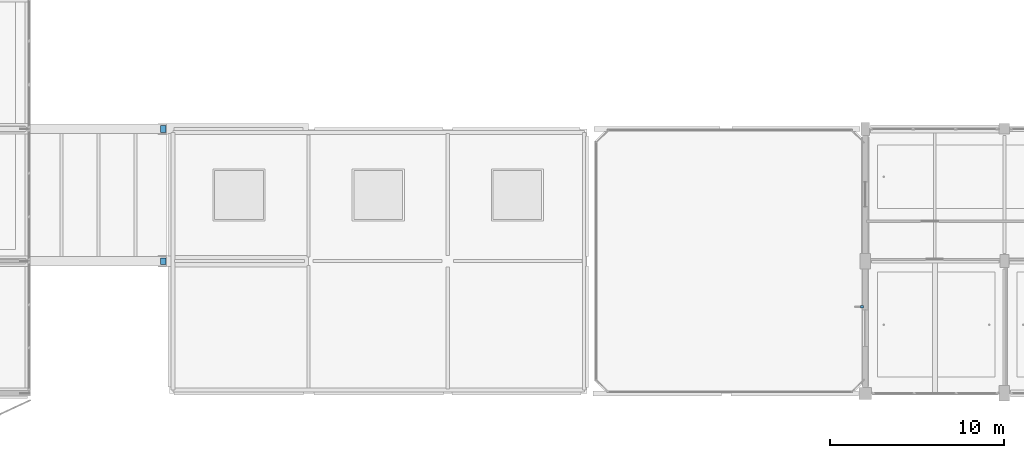
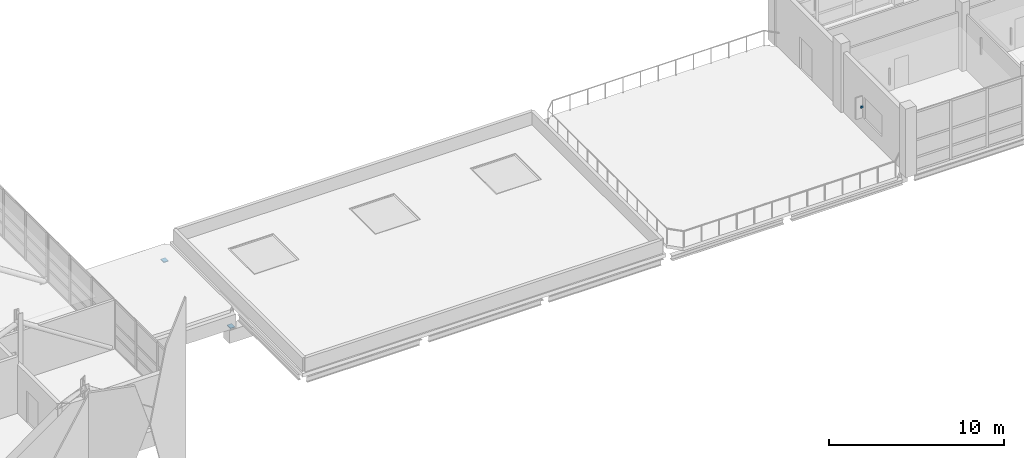
# One storey, part 93 of 107: 3 discrete accessories.
"""IFC4 building model written with IfcOpenShell, lengths in metres."""

from ifc_helpers import new_model, si_unit, direction, frame, origin, origin_2d, place, context, subcontext, project, spatial, rectangle, extrude, material, type_object, element, save


model = new_model("IFC4")

# Units and contexts
model_context = context("Model", 3, precision=1e-05, world=origin(), true_north=direction((0.0, 1.0)))
body_context = subcontext(model_context, "Body", "Model", "MODEL_VIEW")
ifc_project = project(units=[si_unit("LENGTHUNIT", "METRE"), si_unit("AREAUNIT", "SQUARE_METRE"), si_unit("VOLUMEUNIT", "CUBIC_METRE"), si_unit("PLANEANGLEUNIT", "RADIAN"), si_unit("MASSUNIT", "GRAM", prefix="KILO")], contexts=[model_context])

# Site, building, storey
site_placement = place(None, origin())
site = spatial("IfcSite", under=ifc_project, at=site_placement, CompositionType="ELEMENT")
building_placement = place(site_placement, origin())
building = spatial("IfcBuilding", under=site, at=building_placement, Name="Khelvaren Railside Concert Hall", CompositionType="ELEMENT")
storey_placement = place(building_placement, frame((0.0, 0.0, 15.0)))
storey = spatial("IfcBuildingStorey", under=building, at=storey_placement, Name="L03", CompositionType="ELEMENT", Elevation=15.0)

# Discrete accessories
ifc_material_1 = material(Name="Architectural stainless steel Grade 316", Category="steel")
discrete_accessory_type_1 = type_object("IfcDiscreteAccessoryType", Name="BRK87", PredefinedType="BRACKET", material=ifc_material_1)
discrete_accessory_placement = place(storey_placement, frame((103.81494140625, 4.97998046875, 1.6298828125), z_axis=(0.0, 0.0, 1.0), x_axis=(0.0, 1.0, 0.0)))
element("IfcDiscreteAccessory", 1, at=discrete_accessory_placement, inside=storey, type_object=discrete_accessory_type_1, Name="Solar Fin Bracket EW-V3-L03-W-0", PredefinedType="BRACKET", context=body_context, shape_type="SweptSolid", body=[
    extrude(rectangle(XDim=0.139892578125, YDim=0.159912109375, at=origin_2d()), origin(), (0.0, 0.0, 1.0), 0.139892578125),
])
ifc_material_2 = material(Name="Elastomeric PTFE sliding bearing assembly", Category="steel")
discrete_accessory_type_2 = type_object("IfcDiscreteAccessoryType", Name="SB94", PredefinedType="USERDEFINED", material=ifc_material_2)
for number, where, z_axis, x_axis, name in (
    (2, (63.639892578125, 7.60009765625, -1.18994140625), (0.0, 0.0, 1.0), (1.0, 0.0, 0.0), "West Promenade Link Bridge L03 Unguided PTFE Sliding Bearing 1"),
    (3, (63.639892578125, 15.199951171875, -1.18994140625), (0.0, 0.0, 1.0), (1.0, 0.0, 0.0), "West Promenade Link Bridge L03 Unguided PTFE Sliding Bearing 2"),
):
    element("IfcDiscreteAccessory", number, at=place(storey_placement, frame(where, z_axis=z_axis, x_axis=x_axis)), inside=storey, type_object=discrete_accessory_type_2, Name=name, ObjectType="SLIDING BEARING", PredefinedType="USERDEFINED", context=body_context, shape_type="SweptSolid", body=[
        extrude(rectangle(XDim=0.300048828125, YDim=0.3798828125, at=origin_2d()), origin(), (0.0, 0.0, 1.0), 0.050048828125),
    ])

save(model, "model.ifc")
